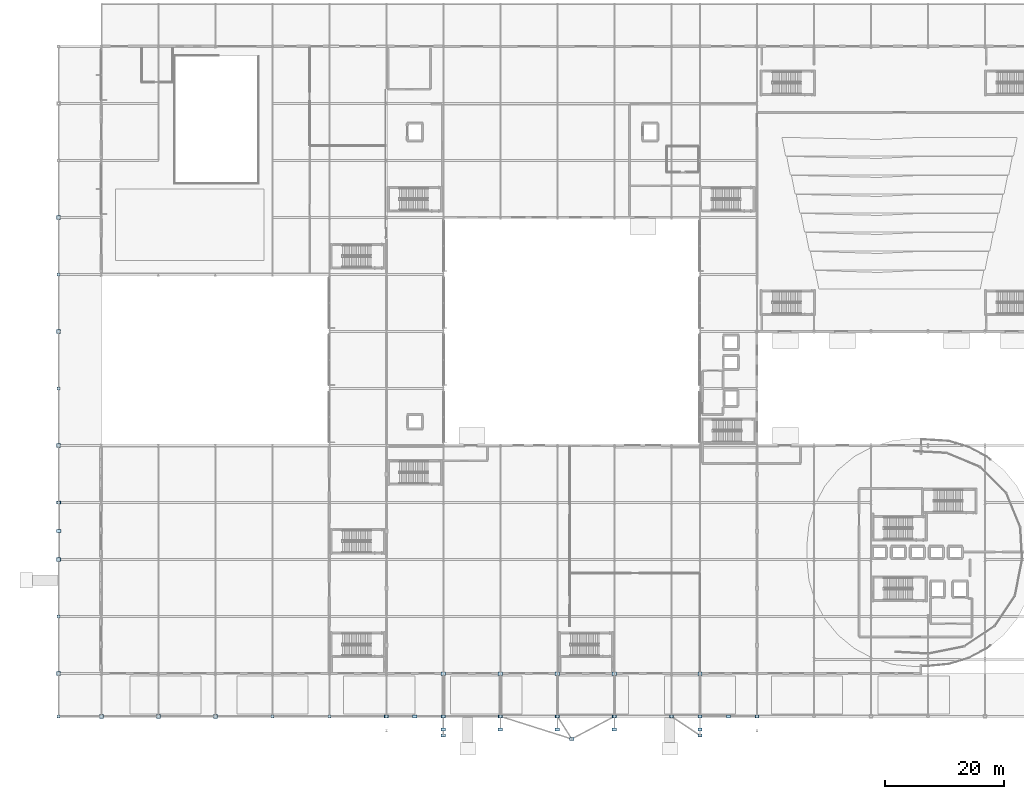
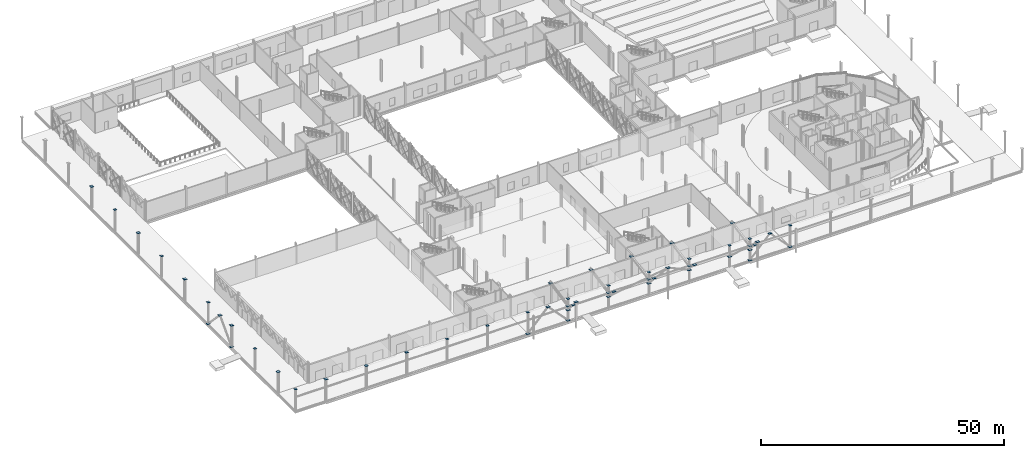
# One storey, part 48 of 84: 56 plates.
"""IFC4 building model written with IfcOpenShell, lengths in metres."""

from ifc_helpers import new_model, si_unit, direction, frame, origin, origin_2d, place, context, subcontext, project, spatial, rectangle, extrude, material, layer, layer_set, type_object, element, save


model = new_model("IFC4")

# Units and contexts
model_context = context("Model", 3, precision=1e-05, world=origin(), true_north=direction((0.0, 1.0)))
body_context = subcontext(model_context, "Body", "Model", "MODEL_VIEW")
ifc_project = project(units=[si_unit("LENGTHUNIT", "METRE"), si_unit("AREAUNIT", "SQUARE_METRE"), si_unit("VOLUMEUNIT", "CUBIC_METRE"), si_unit("PLANEANGLEUNIT", "RADIAN"), si_unit("MASSUNIT", "GRAM", prefix="KILO")], contexts=[model_context])

# Site, building, storey
site_placement = place(None, origin())
site = spatial("IfcSite", under=ifc_project, at=site_placement, CompositionType="ELEMENT")
building_placement = place(site_placement, origin())
building = spatial("IfcBuilding", under=site, at=building_placement, Name="Zevrakil Square Congress Hotel", CompositionType="ELEMENT")
storey_placement = place(building_placement, origin())
storey = spatial("IfcBuildingStorey", under=building, at=storey_placement, Name="L01", CompositionType="ELEMENT", Elevation=0.0)

# Plates
ifc_material_1 = material(Name="Steel S355", Category="steel")
ifc_layer_1 = layer(ifc_material_1, 0.02490234375)
ifc_layer_set_1 = layer_set([ifc_layer_1], Name="Steel S355")
plate_type_1 = type_object("IfcPlateType", Name="PLT-CAP-540", PredefinedType="SHEET", material=ifc_layer_set_1)
for number, where, z_axis, x_axis, name in (
    (1, (0.0, 0.0, 5.400146484375), (0.0, 0.0, 1.0), (1.0, 0.0, 0.0), "L01 colonnade CHS column head closure cap plate 001"),
    (2, (0.0, 16.800048828125, 5.400146484375), (0.0, 0.0, 1.0), (1.0, 0.0, 0.0), "L01 colonnade CHS column head closure cap plate 003"),
    (3, (0.0, 36.0, 5.400146484375), (0.0, 0.0, 1.0), (1.0, 0.0, 0.0), "L01 colonnade CHS column head closure cap plate 005"),
    (4, (0.0, 55.199951171875, 5.400146484375), (0.0, 0.0, 1.0), (1.0, 0.0, 0.0), "L01 colonnade CHS column head closure cap plate 007"),
    (5, (0.0, 74.39990234375, 5.400146484375), (0.0, 0.0, 1.0), (1.0, 0.0, 0.0), "L01 colonnade CHS column head closure cap plate 009"),
    (6, (36.0, 0.0, 5.400146484375), (0.0, 0.0, 1.0), (1.0, 0.0, 0.0), "L01 colonnade CHS column head closure cap plate 053"),
    (7, (45.60009765625, 0.0, 5.400146484375), (0.0, 0.0, 1.0), (1.0, 0.0, 0.0), "L01 colonnade CHS column head closure cap plate 067"),
    (8, (55.199951171875, 0.0, 5.400146484375), (0.0, 0.0, 1.0), (1.0, 0.0, 0.0), "L01 colonnade CHS column head closure cap plate 081"),
    (9, (64.800048828125, 0.0, 5.400146484375), (0.0, 0.0, 1.0), (1.0, 0.0, 0.0), "L01 colonnade CHS column head closure cap plate 099"),
    (10, (74.39990234375, 0.0, 5.400146484375), (0.0, 0.0, 1.0), (1.0, 0.0, 0.0), "L01 colonnade CHS column head closure cap plate 113"),
    (11, (84.0, 0.0, 5.400146484375), (0.0, 0.0, 1.0), (1.0, 0.0, 0.0), "L01 colonnade CHS column head closure cap plate 125"),
    (12, (93.60009765625, 0.0, 5.400146484375), (0.0, 0.0, 1.0), (1.0, 0.0, 0.0), "L01 colonnade CHS column head closure cap plate 137"),
    (13, (103.199951171875, 0.0, 5.400146484375), (0.0, 0.0, 1.0), (1.0, 0.0, 0.0), "L01 colonnade CHS column head closure cap plate 149"),
    (14, (108.0, 0.0, 5.400146484375), (0.0, 0.0, 1.0), (1.0, 0.0, 0.0), "L01 colonnade CHS column head closure cap plate 163"),
    (15, (117.60009765625, 0.0, 5.400146484375), (0.0, 0.0, 1.0), (1.0, 0.0, 0.0), "L01 colonnade CHS column head closure cap plate 177"),
):
    element("IfcPlate", number, at=place(storey_placement, frame(where, z_axis=z_axis, x_axis=x_axis)), inside=storey, type_object=plate_type_1, Name=name, PredefinedType="SHEET", context=body_context, shape_type="SweptSolid", body=[
        extrude(rectangle(XDim=0.5400390625, YDim=0.5400390625, at=origin_2d()), origin(), (0.0, 0.0, 1.0), 0.02490234375),
    ])
ifc_material_2 = material(Name="Steel S355", Category="steel")
ifc_layer_2 = layer(ifc_material_2, 0.030029296875)
ifc_layer_set_2 = layer_set([ifc_layer_2], Name="Steel S355")
plate_type_2 = type_object("IfcPlateType", Name="PLT-CAP-650", PredefinedType="SHEET", material=ifc_layer_set_2)
for number, where, z_axis, x_axis, name in (
    (16, (0.0, 7.199951171875, 5.39990234375), (0.0, 0.0, 1.0), (1.0, 0.0, 0.0), "L01 colonnade CHS column head closure cap plate 002"),
    (17, (0.0, 26.39990234375, 5.39990234375), (0.0, 0.0, 1.0), (1.0, 0.0, 0.0), "L01 colonnade CHS column head closure cap plate 004"),
    (18, (0.0, 45.60009765625, 5.39990234375), (0.0, 0.0, 1.0), (1.0, 0.0, 0.0), "L01 colonnade CHS column head closure cap plate 006"),
    (19, (0.0, 64.800048828125, 5.39990234375), (0.0, 0.0, 1.0), (1.0, 0.0, 0.0), "L01 colonnade CHS column head closure cap plate 008"),
    (20, (0.0, 84.0, 5.39990234375), (0.0, 0.0, 1.0), (1.0, 0.0, 0.0), "L01 colonnade CHS column head closure cap plate 010"),
    (21, (7.199951171875, 0.0, 5.39990234375), (0.0, 0.0, 1.0), (1.0, 0.0, 0.0), "L01 colonnade CHS column head closure cap plate 014"),
    (22, (16.800048828125, 0.0, 5.39990234375), (0.0, 0.0, 1.0), (1.0, 0.0, 0.0), "L01 colonnade CHS column head closure cap plate 026"),
    (23, (26.39990234375, 0.0, 5.39990234375), (0.0, 0.0, 1.0), (1.0, 0.0, 0.0), "L01 colonnade CHS column head closure cap plate 040"),
):
    element("IfcPlate", number, at=place(storey_placement, frame(where, z_axis=z_axis, x_axis=x_axis)), inside=storey, type_object=plate_type_2, Name=name, PredefinedType="SHEET", context=body_context, shape_type="SweptSolid", body=[
        extrude(rectangle(XDim=0.64990234375, YDim=0.64990234375, at=origin_2d()), origin(), (0.0, 0.0, 1.0), 0.030029296875),
    ])
ifc_material_3 = material(Name="Steel S355", Category="steel")
ifc_layer_3 = layer(ifc_material_3, 0.028076171875)
ifc_layer_set_3 = layer_set([ifc_layer_3], Name="Steel S355")
plate_type_3 = type_object("IfcPlateType", Name="PLT-GUSSET-750", PredefinedType="SHEET", material=ifc_layer_set_3)
for number, where, z_axis, x_axis, name in (
    (24, (64.800048828125, 0.0, 2.5859375), (0.0, 0.0, 1.0), (1.0, 0.0, 0.0), "L01 brace and strut end gusset connection plate GP-E02"),
    (25, (64.800048828125, -3.199951171875, 6.5361328125), (0.0, 0.0, 1.0), (1.0, 0.0, 0.0), "L01 brace and strut end gusset connection plate GP-E03"),
    (26, (74.39990234375, 0.0, 2.5859375), (0.0, 0.0, 1.0), (1.0, 0.0, 0.0), "L01 brace and strut end gusset connection plate GP-E04"),
    (27, (86.39990234375, -3.800048828125, 7.93603515625), (0.0, 0.0, 1.0), (1.0, 0.0, 0.0), "L01 brace and strut end gusset connection plate GP-E05"),
    (28, (84.0, 0.0, 2.5859375), (0.0, 0.0, 1.0), (1.0, 0.0, 0.0), "L01 brace and strut end gusset connection plate GP-E06"),
    (29, (93.60009765625, 0.0, 2.5859375), (0.0, 0.0, 1.0), (1.0, 0.0, 0.0), "L01 brace and strut end gusset connection plate GP-E07"),
    (30, (103.199951171875, 0.0, 2.5859375), (0.0, 0.0, 1.0), (1.0, 0.0, 0.0), "L01 brace and strut end gusset connection plate GP-E08"),
    (31, (108.0, -3.199951171875, 6.5361328125), (0.0, 0.0, 1.0), (1.0, 0.0, 0.0), "L01 brace and strut end gusset connection plate GP-E09"),
    (32, (108.0, 0.0, 2.5859375), (0.0, 0.0, 1.0), (1.0, 0.0, 0.0), "L01 brace and strut end gusset connection plate GP-E10"),
    (33, (55.199951171875, 0.0, -0.01416015625), (0.0, 0.0, 1.0), (1.0, 0.0, 0.0), "L01 brace and strut end gusset connection plate GP-E39"),
    (34, (60.0, 0.0, 5.0361328125), (0.0, 0.0, 1.0), (1.0, 0.0, 0.0), "L01 brace and strut end gusset connection plate GP-E40"),
    (35, (64.800048828125, 0.0, -0.01416015625), (0.0, 0.0, 1.0), (1.0, 0.0, 0.0), "L01 brace and strut end gusset connection plate GP-E41"),
    (36, (108.0, 0.0, -0.01416015625), (0.0, 0.0, 1.0), (1.0, 0.0, 0.0), "L01 brace and strut end gusset connection plate GP-E42"),
    (37, (112.800048828125, 0.0, 5.0361328125), (0.0, 0.0, 1.0), (1.0, 0.0, 0.0), "L01 brace and strut end gusset connection plate GP-E43"),
    (38, (117.60009765625, 0.0, -0.01416015625), (0.0, 0.0, 1.0), (1.0, 0.0, 0.0), "L01 brace and strut end gusset connection plate GP-E44"),
    (39, (0.0, 26.39990234375, -0.01416015625), (0.0, 0.0, 1.0), (1.0, 0.0, 0.0), "L01 brace and strut end gusset connection plate GP-E45"),
    (40, (0.0, 31.199951171875, 5.0361328125), (0.0, 0.0, 1.0), (1.0, 0.0, 0.0), "L01 brace and strut end gusset connection plate GP-E46"),
    (41, (0.0, 36.0, -0.01416015625), (0.0, 0.0, 1.0), (1.0, 0.0, 0.0), "L01 brace and strut end gusset connection plate GP-E47"),
    (42, (64.800048828125, 0.0, 3.5859375), (0.0, 0.0, 1.0), (1.0, 0.0, 0.0), "L01 brace and strut end gusset connection plate GP-E50"),
    (43, (64.800048828125, -2.199951171875, 5.18603515625), (0.0, 0.0, 1.0), (1.0, 0.0, 0.0), "L01 brace and strut end gusset connection plate GP-E51"),
    (44, (64.800048828125, 7.199951171875, 4.98583984375), (0.0, 0.0, 1.0), (1.0, 0.0, 0.0), "L01 brace and strut end gusset connection plate GP-E52"),
    (45, (74.39990234375, 0.0, 3.5859375), (0.0, 0.0, 1.0), (1.0, 0.0, 0.0), "L01 brace and strut end gusset connection plate GP-E53"),
    (46, (74.39990234375, -2.199951171875, 5.18603515625), (0.0, 0.0, 1.0), (1.0, 0.0, 0.0), "L01 brace and strut end gusset connection plate GP-E54"),
    (47, (74.39990234375, 7.199951171875, 4.98583984375), (0.0, 0.0, 1.0), (1.0, 0.0, 0.0), "L01 brace and strut end gusset connection plate GP-E55"),
    (48, (84.0, 0.0, 3.5859375), (0.0, 0.0, 1.0), (1.0, 0.0, 0.0), "L01 brace and strut end gusset connection plate GP-E56"),
    (49, (84.0, -2.199951171875, 5.18603515625), (0.0, 0.0, 1.0), (1.0, 0.0, 0.0), "L01 brace and strut end gusset connection plate GP-E57"),
    (50, (84.0, 7.199951171875, 4.98583984375), (0.0, 0.0, 1.0), (1.0, 0.0, 0.0), "L01 brace and strut end gusset connection plate GP-E58"),
    (51, (93.60009765625, 0.0, 3.5859375), (0.0, 0.0, 1.0), (1.0, 0.0, 0.0), "L01 brace and strut end gusset connection plate GP-E59"),
    (52, (93.60009765625, -2.199951171875, 5.18603515625), (0.0, 0.0, 1.0), (1.0, 0.0, 0.0), "L01 brace and strut end gusset connection plate GP-E60"),
    (53, (93.60009765625, 7.199951171875, 4.98583984375), (0.0, 0.0, 1.0), (1.0, 0.0, 0.0), "L01 brace and strut end gusset connection plate GP-E61"),
    (54, (108.0, 0.0, 3.5859375), (0.0, 0.0, 1.0), (1.0, 0.0, 0.0), "L01 brace and strut end gusset connection plate GP-E62"),
    (55, (108.0, -2.199951171875, 5.18603515625), (0.0, 0.0, 1.0), (1.0, 0.0, 0.0), "L01 brace and strut end gusset connection plate GP-E63"),
    (56, (108.0, 7.199951171875, 4.98583984375), (0.0, 0.0, 1.0), (1.0, 0.0, 0.0), "L01 brace and strut end gusset connection plate GP-E64"),
):
    element("IfcPlate", number, at=place(storey_placement, frame(where, z_axis=z_axis, x_axis=x_axis)), inside=storey, type_object=plate_type_3, Name=name, PredefinedType="SHEET", context=body_context, shape_type="SweptSolid", body=[
        extrude(rectangle(XDim=0.75, YDim=0.550048828125, at=origin_2d()), origin(), (0.0, 0.0, 1.0), 0.028076171875),
    ])

save(model, "model.ifc")
